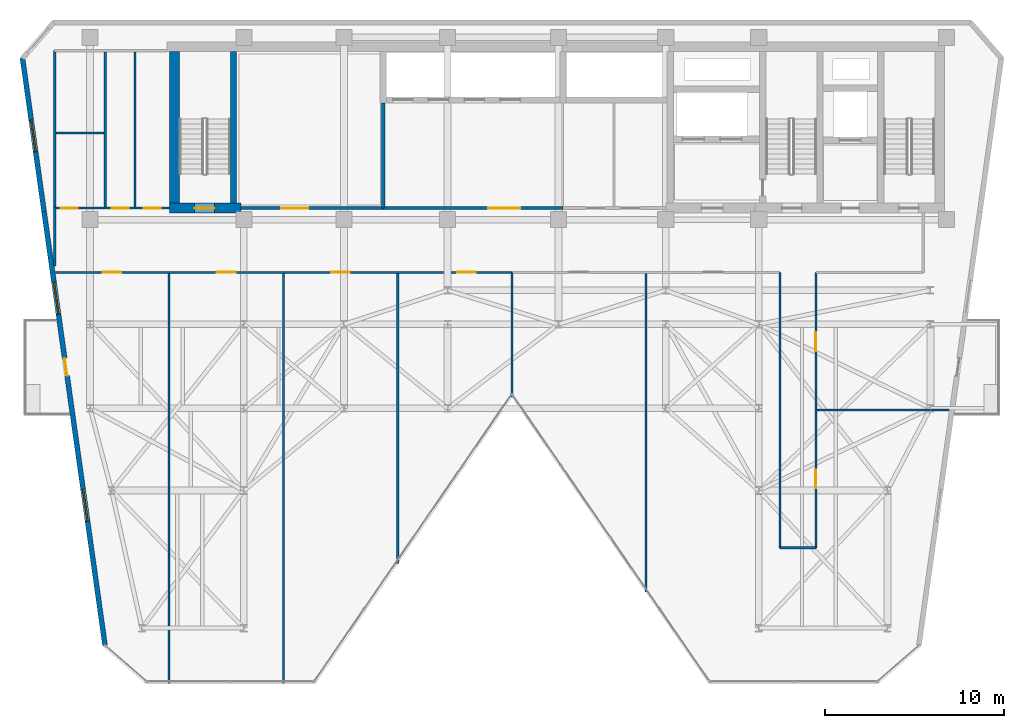
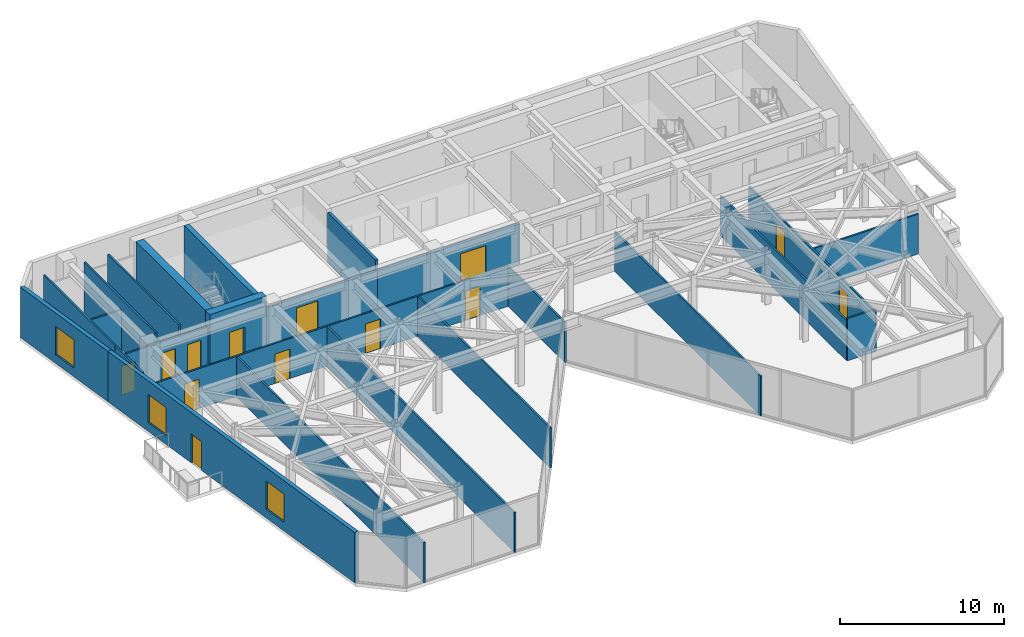
# One storey, part 16 of 21: 24 walls, 13 doors, 3 windows, 16 openings.
"""IFC4 building model written with IfcOpenShell, lengths in metres."""

from ifc_helpers import new_model, si_unit, direction, frame, frame_2d, origin, place, context, subcontext, project, spatial, rectangle, extrude, material, layer, layer_set, type_object, element, fill, save


model = new_model("IFC4")

# Units and contexts
model_context = context("Model", 3, precision=1e-05, world=origin(), true_north=direction((0.0, 1.0)))
body_context = subcontext(model_context, "Body", "Model", "MODEL_VIEW")
ifc_project = project(units=[si_unit("LENGTHUNIT", "METRE"), si_unit("AREAUNIT", "SQUARE_METRE"), si_unit("VOLUMEUNIT", "CUBIC_METRE"), si_unit("PLANEANGLEUNIT", "RADIAN"), si_unit("MASSUNIT", "GRAM", prefix="KILO")], contexts=[model_context])

# Site, building, storey
site_placement = place(None, origin())
site = spatial("IfcSite", under=ifc_project, at=site_placement, CompositionType="ELEMENT")
building_placement = place(site_placement, origin())
building = spatial("IfcBuilding", under=site, at=building_placement, Name="Kravanh Interchange Tower", CompositionType="ELEMENT")
storey_placement = place(building_placement, frame((0.0, 0.0, 184.5)))
storey = spatial("IfcBuildingStorey", under=building, at=storey_placement, Name="L44", CompositionType="ELEMENT", Elevation=184.5)

# Wall, openings, doors
ifc_material_1 = material(Name="Double Acoustic Gypsum Board and Mineral Wool")
ifc_layer_1 = layer(ifc_material_1, 0.1201171875)
ifc_layer_set_1 = layer_set([ifc_layer_1], Name="Acoustic Office Drywall Partition 120mm")
wall_type_1 = type_object("IfcWallType", Name="Acoustic Office Drywall Partition 120mm", PredefinedType="PARTITIONING", material=ifc_layer_set_1)
wall_1_placement = place(storey_placement, frame((16.6201171875, 38.0, 0.0), z_axis=(0.0, 0.0, 1.0), x_axis=(1.0, 0.0, 0.0)))
wall_1 = element("IfcWall", 1, at=wall_1_placement, inside=storey, type_object=wall_type_1, Name="L44 Restroom Corridor Wall 6", PredefinedType="PARTITIONING", context=body_context, shape_type="SweptSolid", body=[
    extrude(rectangle(XDim=6.429931640625, YDim=0.1201171875, at=frame_2d((3.21484375, 0.0))), origin(), (0.0, 0.0, 1.0), 2.98193359375),
])
opening_1_placement = place(wall_1_placement, frame((0.348876953125, 0.0, 0.0)))
opening_1 = element("IfcOpeningElement", 2, at=opening_1_placement, cuts=wall_1, Name="Opening D-95", PredefinedType="OPENING", context=body_context, shape_type="SweptSolid", body=[
    extrude(rectangle(XDim=0.949951171875, YDim=2.14990234375, at=frame_2d((0.47509765625, 1.074951171875))), frame((0.0, 0.070068359375, 0.0), z_axis=(0.0, -1.0, 0.0), x_axis=(1.0, 0.0, 0.0)), (0.0, 0.0, 1.0), 0.14013671875),
])
opening_2_placement = place(wall_1_placement, frame((3.18505859375, 0.0, 0.0)))
opening_2 = element("IfcOpeningElement", 3, at=opening_2_placement, cuts=wall_1, Name="Opening D-95", PredefinedType="OPENING", context=body_context, shape_type="SweptSolid", body=[
    extrude(rectangle(XDim=0.949951171875, YDim=2.14990234375, at=frame_2d((0.47509765625, 1.074951171875))), frame((0.0, 0.070068359375, 0.0), z_axis=(0.0, -1.0, 0.0), x_axis=(1.0, 0.0, 0.0)), (0.0, 0.0, 1.0), 0.14013671875),
])
opening_3_placement = place(wall_1_placement, frame((4.97509765625, 0.0, 0.0)))
opening_3 = element("IfcOpeningElement", 4, at=opening_3_placement, cuts=wall_1, Name="Opening D-95", PredefinedType="OPENING", context=body_context, shape_type="SweptSolid", body=[
    extrude(rectangle(XDim=0.949951171875, YDim=2.14990234375, at=frame_2d((0.47509765625, 1.074951171875))), frame((0.0, 0.070068359375, 0.0), z_axis=(0.0, -1.0, 0.0), x_axis=(1.0, 0.0, 0.0)), (0.0, 0.0, 1.0), 0.14013671875),
])
ifc_material_2 = material(Name="Laminate Solid-Core Timber", Category="wood")
door_type_1 = type_object("IfcDoorType", Name="Accessible Restroom Door 950x2150", OperationType="NOTDEFINED", PredefinedType="DOOR", material=ifc_material_2)
door_1_placement = place(opening_1_placement, origin())
door_1 = element("IfcDoor", 5, at=door_1_placement, inside=storey, type_object=door_type_1, Name="L44 Accessible WC Door", OperationType="SINGLE_SWING_LEFT", OverallHeight=2.14990234375, OverallWidth=0.949951171875, PredefinedType="DOOR", context=body_context, shape_type="SweptSolid", body=[
    extrude(rectangle(XDim=0.949951171875, YDim=2.14990234375, at=frame_2d((0.47509765625, 1.074951171875))), frame((0.0, 0.02490234375, 0.0), z_axis=(0.0, -1.0, 0.0), x_axis=(1.0, 0.0, 0.0)), (0.0, 0.0, 1.0), 0.050048828125),
])
fill(opening_1, door_1)
door_2_placement = place(opening_2_placement, origin())
door_2 = element("IfcDoor", 6, at=door_2_placement, inside=storey, type_object=door_type_1, Name="L44 Female WC Door", OperationType="SINGLE_SWING_RIGHT", OverallHeight=2.14990234375, OverallWidth=0.949951171875, PredefinedType="DOOR", context=body_context, shape_type="SweptSolid", body=[
    extrude(rectangle(XDim=0.949951171875, YDim=2.14990234375, at=frame_2d((0.47509765625, 1.074951171875))), frame((0.0, 0.02490234375, 0.0), z_axis=(0.0, -1.0, 0.0), x_axis=(1.0, 0.0, 0.0)), (0.0, 0.0, 1.0), 0.050048828125),
])
fill(opening_2, door_2)
door_3_placement = place(opening_3_placement, origin())
door_3 = element("IfcDoor", 7, at=door_3_placement, inside=storey, type_object=door_type_1, Name="L44 Male WC Door", OperationType="SINGLE_SWING_LEFT", OverallHeight=2.14990234375, OverallWidth=0.949951171875, PredefinedType="DOOR", context=body_context, shape_type="SweptSolid", body=[
    extrude(rectangle(XDim=0.949951171875, YDim=2.14990234375, at=frame_2d((0.47509765625, 1.074951171875))), frame((0.0, 0.02490234375, 0.0), z_axis=(0.0, -1.0, 0.0), x_axis=(1.0, 0.0, 0.0)), (0.0, 0.0, 1.0), 0.050048828125),
])
fill(opening_3, door_3)

# Walls
wall_2_placement = place(storey_placement, frame((16.6201171875, 38.0, 0.0), z_axis=(0.0, 0.0, 1.0), x_axis=(0.0, 1.0, 0.0)))
element("IfcWall", 8, at=wall_2_placement, inside=storey, type_object=wall_type_1, Name="L44 Restroom West Enclosure 7", PredefinedType="PARTITIONING", context=body_context, shape_type="SweptSolid", body=[
    extrude(rectangle(XDim=8.800048828125, YDim=0.1201171875, at=frame_2d((4.39990234375, 0.0))), origin(), (0.0, 0.0, 1.0), 3.7548828125),
])
for number, where, z_axis, x_axis, name in (
    (9, (19.449951171875, 38.068115234375, 0.0), (0.0, 0.0, 1.0), (0.0, 1.0, 0.0), "L44 Interior Partition 9"),
    (10, (21.110107421875, 38.068115234375, 0.0), (0.0, 0.0, 1.0), (0.0, 1.0, 0.0), "L44 Interior Partition 10"),
):
    element("IfcWall", number, at=place(storey_placement, frame(where, z_axis=z_axis, x_axis=x_axis)), inside=storey, type_object=wall_type_1, Name=name, PredefinedType="PARTITIONING", context=body_context, shape_type="SweptSolid", body=[
        extrude(rectangle(XDim=8.663818359375, YDim=0.1201171875, at=frame_2d((4.33203125, 0.0))), origin(), (0.0, 0.0, 1.0), 3.7548828125),
    ])
wall_3_placement = place(storey_placement, frame((16.68798828125, 42.199951171875, 0.0), z_axis=(0.0, 0.0, 1.0), x_axis=(1.0, 0.0, 0.0)))
element("IfcWall", 11, at=wall_3_placement, inside=storey, type_object=wall_type_1, Name="L44 Interior Partition 11", PredefinedType="PARTITIONING", context=body_context, shape_type="SweptSolid", body=[
    extrude(rectangle(XDim=2.694091796875, YDim=0.1201171875, at=frame_2d((1.34716796875, 0.0))), origin(), (0.0, 0.0, 1.0), 2.98193359375),
])

# Wall, openings, doors
wall_4_placement = place(storey_placement, frame((16.66943359375, 34.39990234375, 0.0), z_axis=(0.0, 0.0, 1.0), x_axis=(1.0, 0.0, 0.0)))
wall_4 = element("IfcWall", 12, at=wall_4_placement, inside=storey, type_object=wall_type_1, Name="L44 Interior Partition 12", PredefinedType="PARTITIONING", context=body_context, shape_type="SweptSolid", body=[
    extrude(rectangle(XDim=25.530517578125, YDim=0.1201171875, at=frame_2d((12.76513671875, 0.0))), origin(), (0.0, 0.0, 1.0), 2.98193359375),
])
opening_4_placement = place(wall_4_placement, frame((2.62548828125, 0.0, 0.0)))
opening_4 = element("IfcOpeningElement", 13, at=opening_4_placement, cuts=wall_4, Name="Opening D-105", PredefinedType="OPENING", context=body_context, shape_type="SweptSolid", body=[
    extrude(rectangle(XDim=1.050048828125, YDim=2.199951171875, at=frame_2d((0.52490234375, 1.10009765625))), frame((0.0, 0.070068359375, 0.0), z_axis=(0.0, -1.0, 0.0), x_axis=(1.0, 0.0, 0.0)), (0.0, 0.0, 1.0), 0.14013671875),
])
opening_5_placement = place(wall_4_placement, frame((9.0205078125, 0.0, 0.0)))
opening_5 = element("IfcOpeningElement", 14, at=opening_5_placement, cuts=wall_4, Name="Opening D-105", PredefinedType="OPENING", context=body_context, shape_type="SweptSolid", body=[
    extrude(rectangle(XDim=1.050048828125, YDim=2.199951171875, at=frame_2d((0.52490234375, 1.10009765625))), frame((0.0, 0.070068359375, 0.0), z_axis=(0.0, -1.0, 0.0), x_axis=(1.0, 0.0, 0.0)), (0.0, 0.0, 1.0), 0.14013671875),
])
opening_6_placement = place(wall_4_placement, frame((15.41552734375, 0.0, 0.0)))
opening_6 = element("IfcOpeningElement", 15, at=opening_6_placement, cuts=wall_4, Name="Opening D-105", PredefinedType="OPENING", context=body_context, shape_type="SweptSolid", body=[
    extrude(rectangle(XDim=1.050048828125, YDim=2.199951171875, at=frame_2d((0.52490234375, 1.10009765625))), frame((0.0, 0.070068359375, 0.0), z_axis=(0.0, -1.0, 0.0), x_axis=(1.0, 0.0, 0.0)), (0.0, 0.0, 1.0), 0.14013671875),
])
opening_7_placement = place(wall_4_placement, frame((22.455810546875, 0.0, 0.0)))
opening_7 = element("IfcOpeningElement", 16, at=opening_7_placement, cuts=wall_4, Name="Opening D-105", PredefinedType="OPENING", context=body_context, shape_type="SweptSolid", body=[
    extrude(rectangle(XDim=1.050048828125, YDim=2.199951171875, at=frame_2d((0.52490234375, 1.10009765625))), frame((0.0, 0.070068359375, 0.0), z_axis=(0.0, -1.0, 0.0), x_axis=(1.0, 0.0, 0.0)), (0.0, 0.0, 1.0), 0.14013671875),
])
ifc_material_3 = material(Name="Acoustic Glazed Oak and Aluminium", Category="aluminium")
door_type_2 = type_object("IfcDoorType", Name="Office Workplace Door 1050x2200", OperationType="NOTDEFINED", PredefinedType="DOOR", material=ifc_material_3)
door_4_placement = place(opening_4_placement, origin())
door_4 = element("IfcDoor", 17, at=door_4_placement, inside=storey, type_object=door_type_2, Name="L44 Office 10A Door", OperationType="SINGLE_SWING_RIGHT", OverallHeight=2.199951171875, OverallWidth=1.050048828125, PredefinedType="DOOR", context=body_context, shape_type="SweptSolid", body=[
    extrude(rectangle(XDim=1.050048828125, YDim=2.199951171875, at=frame_2d((0.52490234375, 1.10009765625))), frame((0.0, 0.02490234375, 0.0), z_axis=(0.0, -1.0, 0.0), x_axis=(1.0, 0.0, 0.0)), (0.0, 0.0, 1.0), 0.050048828125),
])
fill(opening_4, door_4)
door_5_placement = place(opening_5_placement, origin())
door_5 = element("IfcDoor", 18, at=door_5_placement, inside=storey, type_object=door_type_2, Name="L44 Office 10B Door", OperationType="SINGLE_SWING_LEFT", OverallHeight=2.199951171875, OverallWidth=1.050048828125, PredefinedType="DOOR", context=body_context, shape_type="SweptSolid", body=[
    extrude(rectangle(XDim=1.050048828125, YDim=2.199951171875, at=frame_2d((0.52490234375, 1.10009765625))), frame((0.0, 0.02490234375, 0.0), z_axis=(0.0, -1.0, 0.0), x_axis=(1.0, 0.0, 0.0)), (0.0, 0.0, 1.0), 0.050048828125),
])
fill(opening_5, door_5)
door_6_placement = place(opening_6_placement, origin())
door_6 = element("IfcDoor", 19, at=door_6_placement, inside=storey, type_object=door_type_2, Name="L44 Office 10C Door", OperationType="SINGLE_SWING_RIGHT", OverallHeight=2.199951171875, OverallWidth=1.050048828125, PredefinedType="DOOR", context=body_context, shape_type="SweptSolid", body=[
    extrude(rectangle(XDim=1.050048828125, YDim=2.199951171875, at=frame_2d((0.52490234375, 1.10009765625))), frame((0.0, 0.02490234375, 0.0), z_axis=(0.0, -1.0, 0.0), x_axis=(1.0, 0.0, 0.0)), (0.0, 0.0, 1.0), 0.050048828125),
])
fill(opening_6, door_6)
door_7_placement = place(opening_7_placement, origin())
door_7 = element("IfcDoor", 20, at=door_7_placement, inside=storey, type_object=door_type_2, Name="L44 Office 10D Door", OperationType="SINGLE_SWING_LEFT", OverallHeight=2.199951171875, OverallWidth=1.050048828125, PredefinedType="DOOR", context=body_context, shape_type="SweptSolid", body=[
    extrude(rectangle(XDim=1.050048828125, YDim=2.199951171875, at=frame_2d((0.52490234375, 1.10009765625))), frame((0.0, 0.02490234375, 0.0), z_axis=(0.0, -1.0, 0.0), x_axis=(1.0, 0.0, 0.0)), (0.0, 0.0, 1.0), 0.050048828125),
])
fill(opening_7, door_7)

# Walls
wall_5_placement = place(storey_placement, frame((16.6201171875, 34.751953125, 0.0), z_axis=(0.0, 0.0, 1.0), x_axis=(0.0, 1.0, 0.0)))
element("IfcWall", 21, at=wall_5_placement, inside=storey, type_object=wall_type_1, Name="L44 Interior Partition 15", PredefinedType="PARTITIONING", context=body_context, shape_type="SweptSolid", body=[
    extrude(rectangle(XDim=3.298095703125, YDim=0.1201171875, at=frame_2d((1.64892578125, 0.0))), origin(), (0.0, 0.0, 1.0), 3.7548828125),
])
wall_6_placement = place(storey_placement, frame((57.199951171875, 19.0, 0.0), z_axis=(0.0, 0.0, 1.0), x_axis=(0.0, 1.0, 0.0)))
element("IfcWall", 22, at=wall_6_placement, inside=storey, type_object=wall_type_1, Name="L44 Interior Partition 17", PredefinedType="PARTITIONING", context=body_context, shape_type="SweptSolid", body=[
    extrude(rectangle(XDim=15.39990234375, YDim=0.1201171875, at=frame_2d((7.699951171875, 0.0))), origin(), (0.0, 0.0, 1.0), 2.98193359375),
])

# Wall, openings, doors
wall_7_placement = place(storey_placement, frame((59.199951171875, 19.0, 0.0), z_axis=(0.0, 0.0, 1.0), x_axis=(0.0, 1.0, 0.0)))
wall_7 = element("IfcWall", 23, at=wall_7_placement, inside=storey, type_object=wall_type_1, Name="L44 Interior Partition 18", PredefinedType="PARTITIONING", context=body_context, shape_type="SweptSolid", body=[
    extrude(rectangle(XDim=15.39990234375, YDim=0.1201171875, at=frame_2d((7.699951171875, 0.0))), origin(), (0.0, 0.0, 1.0), 2.98193359375),
])
opening_8_placement = place(wall_7_placement, frame((3.324951171875, 0.0, 0.0)))
opening_8 = element("IfcOpeningElement", 24, at=opening_8_placement, cuts=wall_7, Name="Opening D-105", PredefinedType="OPENING", context=body_context, shape_type="SweptSolid", body=[
    extrude(rectangle(XDim=1.050048828125, YDim=2.199951171875, at=frame_2d((0.52490234375, 1.10009765625))), frame((0.0, 0.070068359375, 0.0), z_axis=(0.0, -1.0, 0.0), x_axis=(1.0, 0.0, 0.0)), (0.0, 0.0, 1.0), 0.14013671875),
])
opening_9_placement = place(wall_7_placement, frame((11.0, 0.0, 0.0)))
opening_9 = element("IfcOpeningElement", 25, at=opening_9_placement, cuts=wall_7, Name="Opening D-105", PredefinedType="OPENING", context=body_context, shape_type="SweptSolid", body=[
    extrude(rectangle(XDim=1.050048828125, YDim=2.199951171875, at=frame_2d((0.52490234375, 1.10009765625))), frame((0.0, 0.070068359375, 0.0), z_axis=(0.0, -1.0, 0.0), x_axis=(1.0, 0.0, 0.0)), (0.0, 0.0, 1.0), 0.14013671875),
])
door_8_placement = place(opening_8_placement, origin())
door_8 = element("IfcDoor", 26, at=door_8_placement, inside=storey, type_object=door_type_2, Name="L44 SE Corner Office 10I Door", OperationType="SINGLE_SWING_RIGHT", OverallHeight=2.199951171875, OverallWidth=1.050048828125, PredefinedType="DOOR", context=body_context, shape_type="SweptSolid", body=[
    extrude(rectangle(XDim=1.050048828125, YDim=2.199951171875, at=frame_2d((0.52490234375, 1.10009765625))), frame((0.0, 0.02490234375, 0.0), z_axis=(0.0, -1.0, 0.0), x_axis=(1.0, 0.0, 0.0)), (0.0, 0.0, 1.0), 0.050048828125),
])
fill(opening_8, door_8)
door_9_placement = place(opening_9_placement, origin())
door_9 = element("IfcDoor", 27, at=door_9_placement, inside=storey, type_object=door_type_2, Name="L44 East Balcony Office 10H Door", OperationType="SINGLE_SWING_LEFT", OverallHeight=2.199951171875, OverallWidth=1.050048828125, PredefinedType="DOOR", context=body_context, shape_type="SweptSolid", body=[
    extrude(rectangle(XDim=1.050048828125, YDim=2.199951171875, at=frame_2d((0.52490234375, 1.10009765625))), frame((0.0, 0.02490234375, 0.0), z_axis=(0.0, -1.0, 0.0), x_axis=(1.0, 0.0, 0.0)), (0.0, 0.0, 1.0), 0.050048828125),
])
fill(opening_9, door_9)

# Walls
wall_8_placement = place(storey_placement, frame((57.199951171875, 19.0, 0.0), z_axis=(0.0, 0.0, 1.0), x_axis=(1.0, 0.0, 0.0)))
element("IfcWall", 28, at=wall_8_placement, inside=storey, type_object=wall_type_1, Name="L44 Interior Partition 19", PredefinedType="PARTITIONING", context=body_context, shape_type="SweptSolid", body=[
    extrude(rectangle(XDim=2.0, YDim=0.1201171875, at=frame_2d((1.0, 0.0))), origin(), (0.0, 0.0, 1.0), 3.14697265625),
])
wall_9_placement = place(storey_placement, frame((59.26806640625, 26.699951171875, 0.0), z_axis=(0.0, 0.0, 1.0), x_axis=(1.0, 0.0, 0.0)))
element("IfcWall", 29, at=wall_9_placement, inside=storey, type_object=wall_type_1, Name="L44 Interior Partition 20", PredefinedType="PARTITIONING", context=body_context, shape_type="SweptSolid", body=[
    extrude(rectangle(XDim=7.38037109375, YDim=0.1201171875, at=frame_2d((3.690185546875, 0.0))), origin(), (0.0, 0.0, 1.0), 2.98193359375),
])
wall_10_placement = place(storey_placement, frame((42.199951171875, 27.426513671875, 0.0), z_axis=(0.0, 0.0, 1.0), x_axis=(0.0, 1.0, 0.0)))
element("IfcWall", 30, at=wall_10_placement, inside=storey, type_object=wall_type_1, Name="L44 Interior Partition 21", PredefinedType="PARTITIONING", context=body_context, shape_type="SweptSolid", body=[
    extrude(rectangle(XDim=6.973388671875, YDim=0.1201171875, at=frame_2d((3.48681640625, 0.0))), origin(), (0.0, 0.0, 1.0), 2.98193359375),
])
for number, where, z_axis, x_axis, name in (
    (31, (23.02001953125, 11.4150390625, 0.0), (0.0, 0.0, 1.0), (0.0, 1.0, 0.0), "L44 Interior Partition 22"),
    (32, (29.409912109375, 11.4150390625, 0.0), (0.0, 0.0, 1.0), (0.0, 1.0, 0.0), "L44 Interior Partition 23"),
):
    element("IfcWall", number, at=place(storey_placement, frame(where, z_axis=z_axis, x_axis=x_axis)), inside=storey, type_object=wall_type_1, Name=name, PredefinedType="PARTITIONING", context=body_context, shape_type="SweptSolid", body=[
        extrude(rectangle(XDim=22.9169921875, YDim=0.1201171875, at=frame_2d((11.45849609375, 0.0))), origin(), (0.0, 0.0, 1.0), 2.98193359375),
    ])
wall_11_placement = place(storey_placement, frame((35.81005859375, 18.1318359375, 0.0), z_axis=(0.0, 0.0, 1.0), x_axis=(0.0, 1.0, 0.0)))
element("IfcWall", 33, at=wall_11_placement, inside=storey, type_object=wall_type_1, Name="L44 Interior Partition 24", PredefinedType="PARTITIONING", context=body_context, shape_type="SweptSolid", body=[
    extrude(rectangle(XDim=16.2001953125, YDim=0.1201171875, at=frame_2d((8.10009765625, 0.0))), origin(), (0.0, 0.0, 1.0), 2.98193359375),
])
wall_12_placement = place(storey_placement, frame((49.699951171875, 16.517333984375, 0.0), z_axis=(0.0, 0.0, 1.0), x_axis=(0.0, 1.0, 0.0)))
element("IfcWall", 34, at=wall_12_placement, inside=storey, type_object=wall_type_1, Name="L44 Interior Partition 25", PredefinedType="PARTITIONING", context=body_context, shape_type="SweptSolid", body=[
    extrude(rectangle(XDim=17.814697265625, YDim=0.1201171875, at=frame_2d((8.9072265625, 0.0))), origin(), (0.0, 0.0, 1.0), 2.98193359375),
])
ifc_material_4 = material(Name="Concrete C60/75", Category="concrete")
ifc_layer_2 = layer(ifc_material_4, 0.35009765625)
ifc_layer_set_2 = layer_set([ifc_layer_2], Name="Core Shear Wall Concrete C60/75 350mm")
wall_type_2 = type_object("IfcWallType", Name="Core Shear Wall Concrete C60/75 350mm", PredefinedType="SHEAR", material=ifc_layer_set_2)
wall_13_placement = place(storey_placement, frame((26.625, 38.27490234375, 0.0), z_axis=(0.0, 0.0, 1.0), x_axis=(0.0, 1.0, 0.0)))
element("IfcWall", 35, at=wall_13_placement, inside=storey, type_object=wall_type_2, Name="L44 Stair ST3 East Shear Wall", PredefinedType="SHEAR", context=body_context, shape_type="SweptSolid", body=[
    extrude(rectangle(XDim=8.47509765625, YDim=0.35009765625, at=frame_2d((4.237548828125, 0.0))), origin(), (0.0, 0.0, 1.0), 4.0),
])

# Wall, opening, door
ifc_material_5 = material(Name="Concrete C70/85", Category="concrete")
ifc_layer_3 = layer(ifc_material_5, 0.550048828125)
ifc_layer_set_3 = layer_set([ifc_layer_3], Name="Core Shear Wall Concrete C70/85 550mm")
wall_type_3 = type_object("IfcWallType", Name="Core Shear Wall Concrete C70/85 550mm", PredefinedType="SHEAR", material=ifc_layer_set_3)
wall_14_placement = place(storey_placement, frame((23.050048828125, 38.0, 0.0), z_axis=(0.0, 0.0, 1.0), x_axis=(1.0, 0.0, 0.0)))
wall_14 = element("IfcWall", 36, at=wall_14_placement, inside=storey, type_object=wall_type_3, Name="L44 Stair ST3 South Shear Wall", PredefinedType="SHEAR", context=body_context, shape_type="SweptSolid", body=[
    extrude(rectangle(XDim=4.0, YDim=0.550048828125, at=frame_2d((2.0, 0.0))), origin(), (0.0, 0.0, 1.0), 4.0),
])
opening_10_placement = place(wall_14_placement, frame((1.39990234375, 0.0, 0.0)))
opening_10 = element("IfcOpeningElement", 37, at=opening_10_placement, cuts=wall_14, Name="Opening D-STAIR-110", PredefinedType="OPENING", context=body_context, shape_type="SweptSolid", body=[
    extrude(rectangle(XDim=1.10009765625, YDim=2.199951171875, at=frame_2d((0.550048828125, 1.10009765625))), frame((0.0, 0.28515625, 0.0), z_axis=(0.0, -1.0, 0.0), x_axis=(1.0, 0.0, 0.0)), (0.0, 0.0, 1.0), 0.570068359375),
])
ifc_material_6 = material(Name="Structural Steel S355", Category="steel")
door_type_3 = type_object("IfcDoorType", Name="Fire-Rated Exit Stair Door 1100x2200", OperationType="NOTDEFINED", PredefinedType="DOOR", material=ifc_material_6)
door_10_placement = place(opening_10_placement, origin())
door_10 = element("IfcDoor", 38, at=door_10_placement, inside=storey, type_object=door_type_3, Name="L44 Exit Stair ST3 Door", OperationType="SINGLE_SWING_RIGHT", OverallHeight=2.199951171875, OverallWidth=1.10009765625, PredefinedType="DOOR", context=body_context, shape_type="SweptSolid", body=[
    extrude(rectangle(XDim=1.10009765625, YDim=2.199951171875, at=frame_2d((0.550048828125, 1.10009765625))), frame((0.0, 0.02490234375, 0.0), z_axis=(0.0, -1.0, 0.0), x_axis=(1.0, 0.0, 0.0)), (0.0, 0.0, 1.0), 0.050048828125),
])
fill(opening_10, door_10)

# Wall
wall_15_placement = place(storey_placement, frame((23.324951171875, 38.27490234375, 0.0), z_axis=(0.0, 0.0, 1.0), x_axis=(0.0, 1.0, 0.0)))
element("IfcWall", 39, at=wall_15_placement, inside=storey, type_object=wall_type_3, Name="L44 Stair ST3 West Shear Wall", PredefinedType="SHEAR", context=body_context, shape_type="SweptSolid", body=[
    extrude(rectangle(XDim=8.47509765625, YDim=0.550048828125, at=frame_2d((4.237548828125, 0.0))), origin(), (0.0, 0.0, 1.0), 4.0),
])

# Wall, openings, door, windows
ifc_material_7 = material(Name="Insulated Precast Concrete C40/50 with Bronze Cladding", Category="concrete")
ifc_layer_4 = layer(ifc_material_7, 0.280029296875)
ifc_layer_set_4 = layer_set([ifc_layer_4], Name="Exterior Insulated Concrete C40/50 Bronze Spandrel Wall 280mm")
wall_type_4 = type_object("IfcWallType", Name="Exterior Insulated Concrete C40/50 Bronze Spandrel Wall 280mm", PredefinedType="STANDARD", material=ifc_layer_set_4)
wall_16_placement = place(storey_placement, frame((19.434326171875, 13.540771484375, 0.0), z_axis=(0.0, 0.0, 1.0), x_axis=(-0.139173290738, 0.99026804207, 0.0)))
wall_16 = element("IfcWall", 40, at=wall_16_placement, inside=storey, type_object=wall_type_4, Name="L44 Exterior Wall 1", PredefinedType="STANDARD", context=body_context, shape_type="SweptSolid", body=[
    extrude(rectangle(XDim=24.497802734375, YDim=0.280029296875, at=frame_2d((12.2490234375, 0.0))), origin(), (0.0, 0.0, 1.0), 3.7548828125),
])
opening_11_placement = place(wall_16_placement, frame((15.218994140625, 0.0, 0.0)))
opening_11 = element("IfcOpeningElement", 41, at=opening_11_placement, cuts=wall_16, Name="Opening ED-BAL100", PredefinedType="OPENING", context=body_context, shape_type="SweptSolid", body=[
    extrude(rectangle(XDim=1.0, YDim=2.14990234375, at=frame_2d((0.5, 1.074951171875))), frame((0.0, 0.14990234375, 0.0), z_axis=(0.0, -1.0, 0.0), x_axis=(1.0, 0.0, 0.0)), (0.0, 0.0, 1.0), 0.300048828125),
])
opening_12_placement = place(wall_16_placement, frame((7.005859375, 0.0, 0.64990234375)))
opening_12 = element("IfcOpeningElement", 42, at=opening_12_placement, cuts=wall_16, Name="Opening WN-180X210", PredefinedType="OPENING", context=body_context, shape_type="SweptSolid", body=[
    extrude(rectangle(XDim=1.800048828125, YDim=2.10009765625, at=frame_2d((0.89990234375, 1.050048828125))), frame((0.0, 0.14990234375, 0.0), z_axis=(0.0, -1.0, 0.0), x_axis=(1.0, 0.0, 0.0)), (0.0, 0.0, 1.0), 0.300048828125),
])
opening_13_placement = place(wall_16_placement, frame((18.7080078125, 0.0, 0.64990234375)))
opening_13 = element("IfcOpeningElement", 43, at=opening_13_placement, cuts=wall_16, Name="Opening WN-180X210", PredefinedType="OPENING", context=body_context, shape_type="SweptSolid", body=[
    extrude(rectangle(XDim=1.800048828125, YDim=2.10009765625, at=frame_2d((0.89990234375, 1.050048828125))), frame((0.0, 0.14990234375, 0.0), z_axis=(0.0, -1.0, 0.0), x_axis=(1.0, 0.0, 0.0)), (0.0, 0.0, 1.0), 0.300048828125),
])
ifc_material_8 = material(Name="Thermally Broken Bronze Aluminium and Laminated Glass", Category="aluminium")
door_type_4 = type_object("IfcDoorType", Name="Balcony Glazed Door 1000x2150", OperationType="NOTDEFINED", PredefinedType="DOOR", material=ifc_material_8)
door_11_placement = place(opening_11_placement, origin())
door_11 = element("IfcDoor", 44, at=door_11_placement, inside=storey, type_object=door_type_4, Name="L44 W Tree Balcony Access Door", OperationType="SINGLE_SWING_RIGHT", OverallHeight=2.14990234375, OverallWidth=1.0, PredefinedType="DOOR", context=body_context, shape_type="SweptSolid", body=[
    extrude(rectangle(XDim=1.0, YDim=2.14990234375, at=frame_2d((0.5, 1.074951171875))), frame((0.0, 0.02490234375, 0.0), z_axis=(0.0, -1.0, 0.0), x_axis=(1.0, 0.0, 0.0)), (0.0, 0.0, 1.0), 0.050048828125),
])
fill(opening_11, door_11)
ifc_material_9 = material(Name="Thermally Broken Bronze Aluminium and Low-E Glass", Category="aluminium")
window_type = type_object("IfcWindowType", Name="Tower Pier Window 1800x2100", PartitioningType="SINGLE_PANEL", PredefinedType="WINDOW", material=ifc_material_9)
window_1_placement = place(opening_12_placement, origin())
window_1 = element("IfcWindow", 45, at=window_1_placement, inside=storey, type_object=window_type, Name="L44 Facade Window 1A", OverallHeight=2.10009765625, OverallWidth=1.800048828125, PartitioningType="SINGLE_PANEL", PredefinedType="WINDOW", context=body_context, shape_type="SweptSolid", body=[
    extrude(rectangle(XDim=1.800048828125, YDim=2.10009765625, at=frame_2d((0.89990234375, 1.050048828125))), frame((0.0, 0.030029296875, 0.0), z_axis=(0.0, -1.0, 0.0), x_axis=(1.0, 0.0, 0.0)), (0.0, 0.0, 1.0), 0.06005859375),
])
fill(opening_12, window_1)
window_2_placement = place(opening_13_placement, origin())
window_2 = element("IfcWindow", 46, at=window_2_placement, inside=storey, type_object=window_type, Name="L44 Facade Window 1B", OverallHeight=2.10009765625, OverallWidth=1.800048828125, PartitioningType="SINGLE_PANEL", PredefinedType="WINDOW", context=body_context, shape_type="SweptSolid", body=[
    extrude(rectangle(XDim=1.800048828125, YDim=2.10009765625, at=frame_2d((0.89990234375, 1.050048828125))), frame((0.0, 0.030029296875, 0.0), z_axis=(0.0, -1.0, 0.0), x_axis=(1.0, 0.0, 0.0)), (0.0, 0.0, 1.0), 0.06005859375),
])
fill(opening_13, window_2)

# Wall, opening, window
wall_17_placement = place(storey_placement, frame((16.02490234375, 37.800048828125, 0.0), z_axis=(0.0, 0.0, 1.0), x_axis=(-0.13918102754, 0.990266954701, 0.0)))
wall_17 = element("IfcWall", 47, at=wall_17_placement, inside=storey, type_object=wall_type_4, Name="L44 Exterior Wall 2", PredefinedType="STANDARD", context=body_context, shape_type="SweptSolid", body=[
    extrude(rectangle(XDim=8.667236328125, YDim=0.280029296875, at=frame_2d((4.33349609375, 0.0))), origin(), (0.0, 0.0, 1.0), 3.7548828125),
])
opening_14_placement = place(wall_17_placement, frame((3.37353515625, 0.0, 0.64990234375)))
opening_14 = element("IfcOpeningElement", 48, at=opening_14_placement, cuts=wall_17, Name="Opening WN-180X210", PredefinedType="OPENING", context=body_context, shape_type="SweptSolid", body=[
    extrude(rectangle(XDim=1.800048828125, YDim=2.10009765625, at=frame_2d((0.89990234375, 1.050048828125))), frame((0.0, 0.14990234375, 0.0), z_axis=(0.0, -1.0, 0.0), x_axis=(1.0, 0.0, 0.0)), (0.0, 0.0, 1.0), 0.300048828125),
])
window_3_placement = place(opening_14_placement, origin())
window_3 = element("IfcWindow", 49, at=window_3_placement, inside=storey, type_object=window_type, Name="L44 Corner Window 2", OverallHeight=2.10009765625, OverallWidth=1.800048828125, PartitioningType="SINGLE_PANEL", PredefinedType="WINDOW", context=body_context, shape_type="SweptSolid", body=[
    extrude(rectangle(XDim=1.800048828125, YDim=2.10009765625, at=frame_2d((0.89990234375, 1.050048828125))), frame((0.0, 0.030029296875, 0.0), z_axis=(0.0, -1.0, 0.0), x_axis=(1.0, 0.0, 0.0)), (0.0, 0.0, 1.0), 0.06005859375),
])
fill(opening_14, window_3)

# Wall
ifc_material_10 = material(Name="Autoclaved Aerated Concrete C30/37 Blockwork", Category="masonry")
ifc_layer_5 = layer(ifc_material_10, 0.179931640625)
ifc_layer_set_5 = layer_set([ifc_layer_5], Name="Fire-Rated Lobby and Corridor Wall Concrete C30/37 180mm")
wall_type_5 = type_object("IfcWallType", Name="Fire-Rated Lobby and Corridor Wall Concrete C30/37 180mm", PredefinedType="STANDARD", material=ifc_layer_set_5)
wall_18_placement = place(storey_placement, frame((35.0, 38.0, 0.0), z_axis=(0.0, 0.0, 1.0), x_axis=(0.0, 1.0, 0.0)))
element("IfcWall", 50, at=wall_18_placement, inside=storey, type_object=wall_type_5, Name="L44 Interior Partition 4", PredefinedType="STANDARD", context=body_context, shape_type="SweptSolid", body=[
    extrude(rectangle(XDim=5.875, YDim=0.179931640625, at=frame_2d((2.9375, 0.0))), origin(), (0.0, 0.0, 1.0), 3.7548828125),
])

# Wall, opening, door
wall_19_placement = place(storey_placement, frame((35.0, 38.0, 0.0), z_axis=(0.0, 0.0, 1.0), x_axis=(1.0, 0.0, 0.0)))
wall_19 = element("IfcWall", 51, at=wall_19_placement, inside=storey, type_object=wall_type_5, Name="L44 Interior Partition 5", PredefinedType="STANDARD", context=body_context, shape_type="SweptSolid", body=[
    extrude(rectangle(XDim=10.050048828125, YDim=0.179931640625, at=frame_2d((5.02490234375, 0.0))), origin(), (0.0, 0.0, 1.0), 2.98193359375),
])
opening_15_placement = place(wall_19_placement, frame((5.85791015625, 0.0, 0.0)))
opening_15 = element("IfcOpeningElement", 52, at=opening_15_placement, cuts=wall_19, Name="Opening DBL-180", PredefinedType="OPENING", context=body_context, shape_type="SweptSolid", body=[
    extrude(rectangle(XDim=1.800048828125, YDim=2.199951171875, at=frame_2d((0.89990234375, 1.10009765625))), frame((0.0, 0.10009765625, 0.0), z_axis=(0.0, -1.0, 0.0), x_axis=(1.0, 0.0, 0.0)), (0.0, 0.0, 1.0), 0.199951171875),
])
ifc_material_11 = material(Name="Structural Steel S355", Category="steel")
door_type_5 = type_object("IfcDoorType", Name="Lift Lobby Double Fire Door 1800x2200", OperationType="DOUBLE_DOOR_SINGLE_SWING", PredefinedType="DOOR", material=ifc_material_11)
door_12_placement = place(opening_15_placement, origin())
door_12 = element("IfcDoor", 53, at=door_12_placement, inside=storey, type_object=door_type_5, Name="L44 Mid-Rise Lift Lobby Door", OperationType="DOUBLE_DOOR_SINGLE_SWING", OverallHeight=2.199951171875, OverallWidth=1.800048828125, PredefinedType="DOOR", context=body_context, shape_type="SweptSolid", body=[
    extrude(rectangle(XDim=1.800048828125, YDim=2.199951171875, at=frame_2d((0.89990234375, 1.10009765625))), frame((0.0, 0.02490234375, 0.0), z_axis=(0.0, -1.0, 0.0), x_axis=(1.0, 0.0, 0.0)), (0.0, 0.0, 1.0), 0.050048828125),
])
fill(opening_15, door_12)

ifc_material_12 = material(Name="Twin Stud Acoustic Gypsum Board Wall")
ifc_layer_6 = layer(ifc_material_12, 0.14990234375)
ifc_layer_set_6 = layer_set([ifc_layer_6], Name="Medium-Duty Acoustic Partition 150mm")
wall_type_6 = type_object("IfcWallType", Name="Medium-Duty Acoustic Partition 150mm", PredefinedType="PARTITIONING", material=ifc_layer_set_6)
wall_20_placement = place(storey_placement, frame((27.050048828125, 38.0, 0.0), z_axis=(0.0, 0.0, 1.0), x_axis=(1.0, 0.0, 0.0)))
wall_20 = element("IfcWall", 54, at=wall_20_placement, inside=storey, type_object=wall_type_6, Name="L44 Interior Partition 3", PredefinedType="PARTITIONING", context=body_context, shape_type="SweptSolid", body=[
    extrude(rectangle(XDim=7.949951171875, YDim=0.14990234375, at=frame_2d((3.97509765625, 0.0))), origin(), (0.0, 0.0, 1.0), 2.98193359375),
])
opening_16_placement = place(wall_20_placement, frame((2.25, 0.0, 0.0)))
opening_16 = element("IfcOpeningElement", 55, at=opening_16_placement, cuts=wall_20, Name="Opening DBL-150", PredefinedType="OPENING", context=body_context, shape_type="SweptSolid", body=[
    extrude(rectangle(XDim=1.5, YDim=2.199951171875, at=frame_2d((0.75, 1.10009765625))), frame((0.0, 0.0849609375, 0.0), z_axis=(0.0, -1.0, 0.0), x_axis=(1.0, 0.0, 0.0)), (0.0, 0.0, 1.0), 0.169921875),
])
ifc_material_13 = material(Name="Acoustic Timber and Toughened Glass", Category="wood")
door_type_6 = type_object("IfcDoorType", Name="Conference Hall Double Door 1500x2200", OperationType="DOUBLE_DOOR_SINGLE_SWING", PredefinedType="DOOR", material=ifc_material_13)
door_13_placement = place(opening_16_placement, origin())
door_13 = element("IfcDoor", 56, at=door_13_placement, inside=storey, type_object=door_type_6, Name="L44 Core Wellness Studio Door", OperationType="DOUBLE_DOOR_SINGLE_SWING", OverallHeight=2.199951171875, OverallWidth=1.5, PredefinedType="DOOR", context=body_context, shape_type="SweptSolid", body=[
    extrude(rectangle(XDim=1.5, YDim=2.199951171875, at=frame_2d((0.75, 1.10009765625))), frame((0.0, 0.02490234375, 0.0), z_axis=(0.0, -1.0, 0.0), x_axis=(1.0, 0.0, 0.0)), (0.0, 0.0, 1.0), 0.050048828125),
])
fill(opening_16, door_13)

save(model, "model.ifc")
